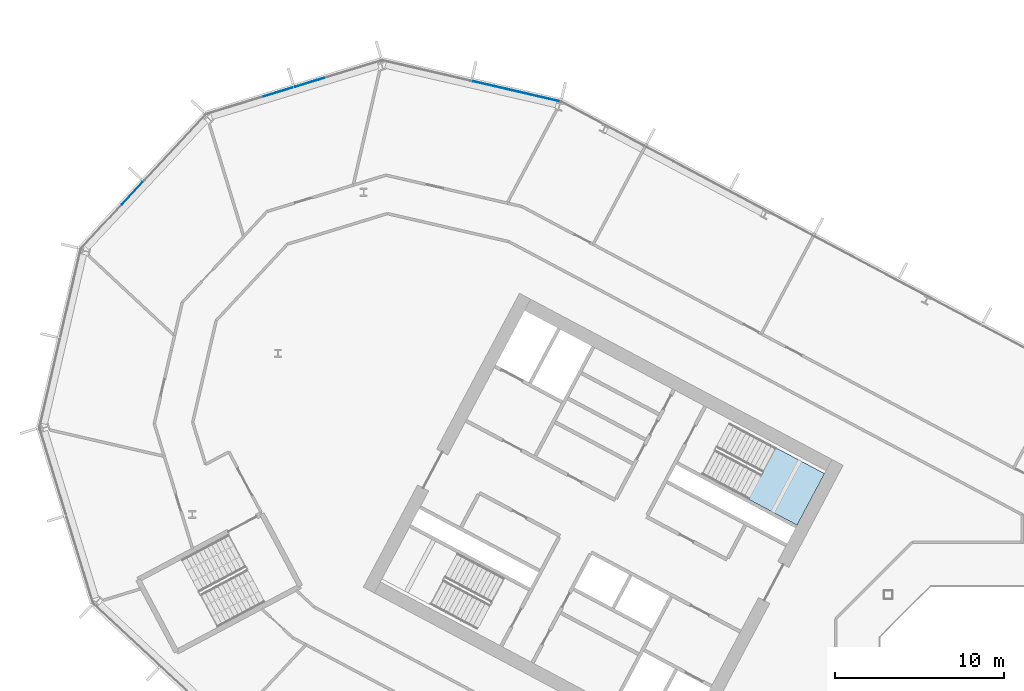
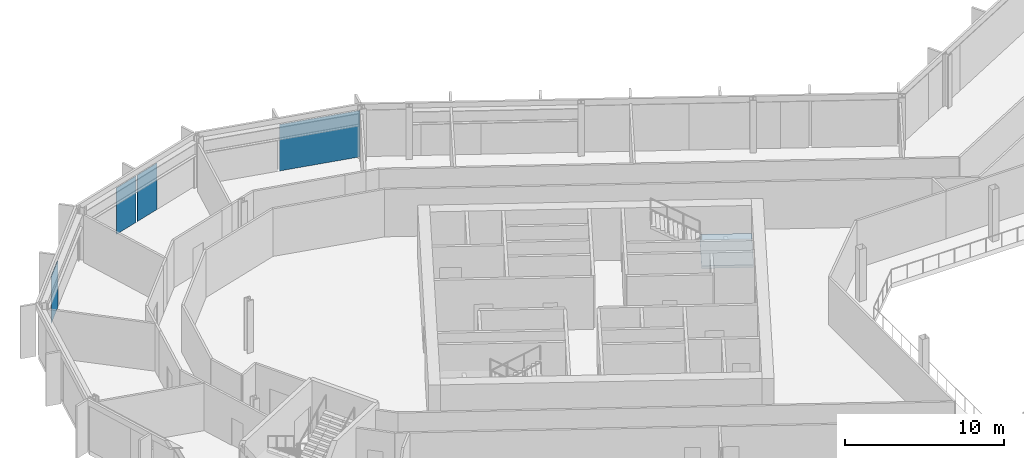
# One storey, part 11 of 28: 4 plates, 1 slab, 4 elements without a shape of their own.
"""IFC4 building model written with IfcOpenShell, lengths in metres."""

from ifc_helpers import new_model, si_unit, direction, frame, origin, origin_2d, place, context, subcontext, project, spatial, polyline, rectangle, outline, extrude, material, layer, layer_set, type_object, element, aggregate, save


model = new_model("IFC4")

# Units and contexts
model_context = context("Model", 3, precision=1e-05, world=origin(), true_north=direction((0.0, 1.0)))
body_context = subcontext(model_context, "Body", "Model", "MODEL_VIEW")
ifc_project = project(units=[si_unit("LENGTHUNIT", "METRE"), si_unit("AREAUNIT", "SQUARE_METRE"), si_unit("VOLUMEUNIT", "CUBIC_METRE"), si_unit("PLANEANGLEUNIT", "RADIAN"), si_unit("MASSUNIT", "GRAM", prefix="KILO")], contexts=[model_context])

# Site, building, storey
site_placement = place(None, origin())
site = spatial("IfcSite", under=ifc_project, at=site_placement, CompositionType="ELEMENT")
building_placement = place(site_placement, origin())
building = spatial("IfcBuilding", under=site, at=building_placement, Name="Cormorant Relay Tower", CompositionType="ELEMENT")
storey_placement = place(building_placement, frame((0.0, 0.0, 154.199951171875)))
storey = spatial("IfcBuildingStorey", under=building, at=storey_placement, Name="L32", CompositionType="ELEMENT", Elevation=154.199951171875)

# Curtain wall, plates
ifc_material_1 = material(Name="Aluminium 6063-T6 anodised bronze", Category="aluminium")
ifc_layer_1 = layer(ifc_material_1, 0.199951171875)
ifc_layer_set_1 = layer_set([ifc_layer_1], Name="CW1 unitised bronze curtain wall with vertical fins")
curtain_wall_type = type_object("IfcCurtainWallType", Name="CW1 unitised bronze curtain wall with vertical fins", PredefinedType="NOTDEFINED", material=ifc_layer_set_1)
curtain_wall_1_placement = place(storey_placement, origin())
curtain_wall_1 = element("IfcCurtainWall", 1, at=curtain_wall_1_placement, inside=storey, type_object=curtain_wall_type, Name="CW1 curtain wall 11", PredefinedType="NOTDEFINED")
ifc_material_2 = material(Name="Tinted laminated glass", Category="glass")
ifc_layer_2 = layer(ifc_material_2, 0.0400390625)
ifc_layer_set_2 = layer_set([ifc_layer_2], Name="CW1 tinted vision panel 1800 module")
plate_type_1 = type_object("IfcPlateType", Name="CW1 tinted vision panel 1800 module", PredefinedType="CURTAIN_PANEL", material=ifc_layer_set_2)
plate_1_placement = place(storey_placement, frame((-44.73681640625, 40.82861328125, 0.0), z_axis=(0.0, 0.0, 1.0), x_axis=(-0.956304755963, -0.292371704723, 0.0)))
plate_1 = element("IfcPlate", 2, at=plate_1_placement, type_object=plate_type_1, Name="CW1 panel V01", PredefinedType="CURTAIN_PANEL", context=body_context, shape_type="SweptSolid", body=[
    extrude(rectangle(XDim=1.800048828125, YDim=0.0400390625, at=origin_2d()), origin(), (0.0, 0.0, 1.0), 3.550048828125),
])
plate_2_placement = place(storey_placement, frame((-46.6015625, 40.25830078125, 0.0), z_axis=(0.0, 0.0, 1.0), x_axis=(-0.956304755963, -0.292371704723, 0.0)))
plate_2 = element("IfcPlate", 3, at=plate_2_placement, type_object=plate_type_1, Name="CW1 panel V02", PredefinedType="CURTAIN_PANEL", context=body_context, shape_type="SweptSolid", body=[
    extrude(rectangle(XDim=1.800048828125, YDim=0.0400390625, at=origin_2d()), origin(), (0.0, 0.0, 1.0), 3.550048828125),
])
aggregate(curtain_wall_1, [plate_1, plate_2])

# Curtain wall, plate
curtain_wall_2_placement = place(storey_placement, origin())
curtain_wall_2 = element("IfcCurtainWall", 4, at=curtain_wall_2_placement, inside=storey, type_object=curtain_wall_type, Name="CW1 curtain wall 12", PredefinedType="NOTDEFINED")
plate_3_placement = place(storey_placement, frame((-55.247314453125, 34.2607421875, 0.0), z_axis=(0.0, 0.0, 1.0), x_axis=(-0.681998360062, -0.731353701619, 0.0)))
plate_3 = element("IfcPlate", 5, at=plate_3_placement, type_object=plate_type_1, Name="CW1 panel V01", PredefinedType="CURTAIN_PANEL", context=body_context, shape_type="SweptSolid", body=[
    extrude(rectangle(XDim=1.800048828125, YDim=0.0400390625, at=origin_2d()), origin(), (0.0, 0.0, 1.0), 3.550048828125),
])
aggregate(curtain_wall_2, [plate_3])

curtain_wall_3_placement = place(storey_placement, origin())
curtain_wall_3 = element("IfcCurtainWall", 6, at=curtain_wall_3_placement, inside=storey, type_object=curtain_wall_type, Name="CW1 curtain wall 10", PredefinedType="NOTDEFINED")
ifc_material_3 = material(Name="Tinted laminated glass", Category="glass")
ifc_layer_3 = layer(ifc_material_3, 0.0400390625)
ifc_layer_set_3 = layer_set([ifc_layer_3], Name="CW1 tinted vision panel 5400 module")
plate_type_2 = type_object("IfcPlateType", Name="CW1 tinted vision panel 5400 module", PredefinedType="CURTAIN_PANEL", material=ifc_layer_set_3)
plate_4_placement = place(storey_placement, frame((-32.51708984375, 40.298828125, 0.0), z_axis=(0.0, 0.0, 1.0), x_axis=(-0.974370064785, 0.224951054344, 0.0)))
plate_4 = element("IfcPlate", 7, at=plate_4_placement, type_object=plate_type_2, Name="CW1 panel V00", PredefinedType="CURTAIN_PANEL", context=body_context, shape_type="SweptSolid", body=[
    extrude(rectangle(XDim=5.28515625, YDim=0.0400390625, at=origin_2d()), origin(), (0.0, 0.0, 1.0), 3.550048828125),
])
aggregate(curtain_wall_3, [plate_4])

# Stair, slab
ifc_material_4 = material(Name="Concrete 40 MPa", Category="concrete")
stair_type = type_object("IfcStairType", Name="Exit stair 1500", PredefinedType="HALF_TURN_STAIR", material=ifc_material_4)
stair_placement = place(storey_placement, origin())
stair = element("IfcStair", 8, at=stair_placement, inside=storey, type_object=stair_type, Name="L32 Stair", PredefinedType="HALF_TURN_STAIR")
ifc_material_5 = material(Name="Concrete 40 MPa", Category="concrete")
ifc_layer_4 = layer(ifc_material_5, 0.199951171875)
ifc_layer_set_4 = layer_set([ifc_layer_4], Name="Exit stair landing 200")
slab_type = type_object("IfcSlabType", Name="Exit stair landing 200", PredefinedType="LANDING", material=ifc_layer_set_4)
slab_placement = place(storey_placement, frame((0.0, 0.0, 1.800048828125)))
slab = element("IfcSlab", 9, at=slab_placement, type_object=slab_type, Name="A1 landing 1", PredefinedType="LANDING", context=body_context, shape_type="SweptSolid", body=[
    extrude(outline(polyline([(-18.7822265625, 16.1591796875), (-15.89501953125, 14.6240234375), (-14.275390625, 17.670166015625), (-17.16259765625, 19.205322265625), (-18.7822265625, 16.1591796875)])), origin(), (0.0, 0.0, 1.0), 0.199951171875),
])
aggregate(stair, [slab])

save(model, "model.ifc")
